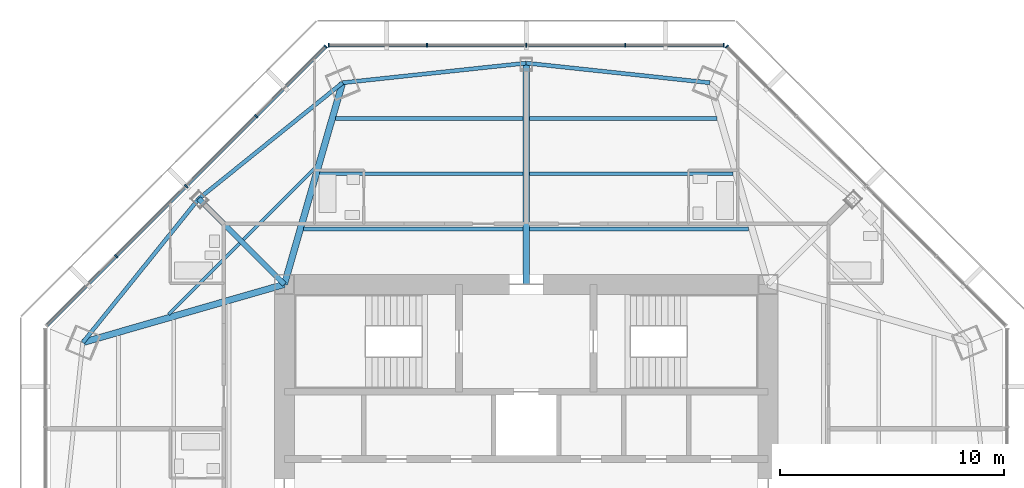
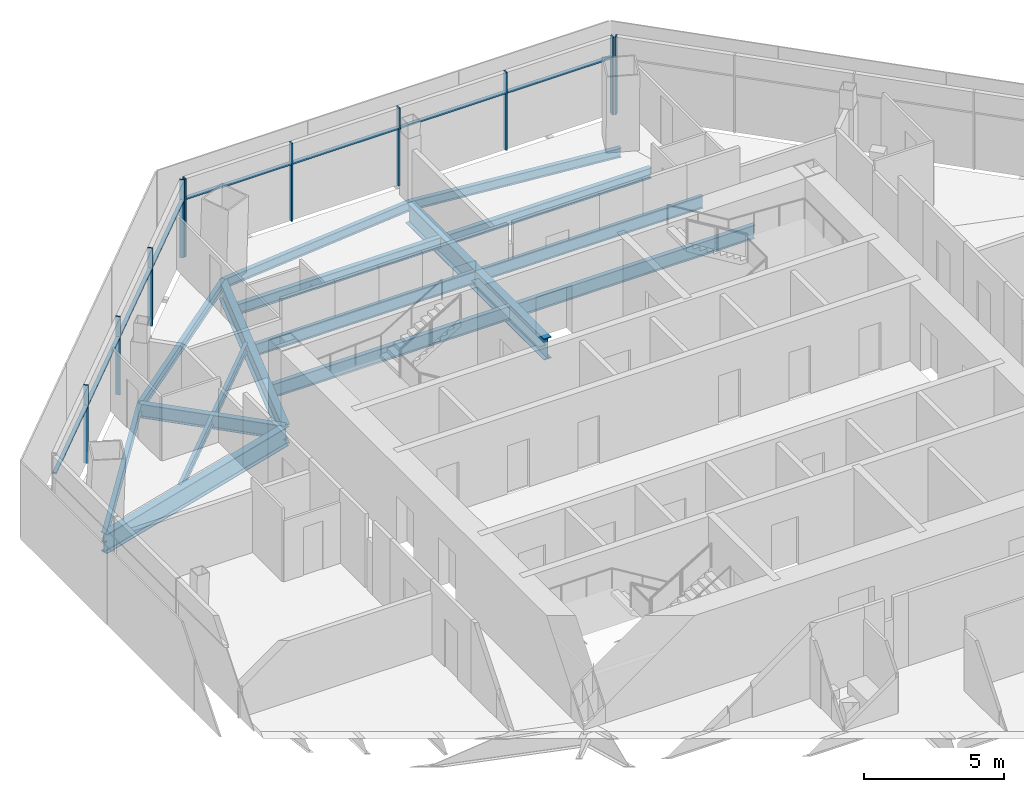
# One storey, part 5 of 15: 18 members, 16 beams, 3 elements without a shape of their own.
"""IFC4 building model written with IfcOpenShell, lengths in metres."""

from ifc_helpers import new_model, si_unit, direction, frame, origin, origin_2d, place, context, subcontext, project, spatial, rectangle, i_section, extrude, source, transform, mapped, material, material_profile, profile_set, type_object, type_shapes, element, aggregate, save


model = new_model("IFC4")

# Units and contexts
model_context = context("Model", 3, precision=1e-05, world=origin(), true_north=direction((0.0, 1.0)))
body_context = subcontext(model_context, "Body", "Model", "MODEL_VIEW")
ifc_project = project(units=[si_unit("LENGTHUNIT", "METRE"), si_unit("AREAUNIT", "SQUARE_METRE"), si_unit("VOLUMEUNIT", "CUBIC_METRE"), si_unit("PLANEANGLEUNIT", "RADIAN"), si_unit("MASSUNIT", "GRAM", prefix="KILO")], contexts=[model_context])

# Site, building, storey
site_placement = place(None, origin())
site = spatial("IfcSite", under=ifc_project, at=site_placement, CompositionType="ELEMENT")
building_placement = place(site_placement, origin())
building = spatial("IfcBuilding", under=site, at=building_placement, Name="Mashrafa Tower", CompositionType="ELEMENT")
storey_placement = place(building_placement, frame((0.0, 0.0, 231.199951171875)))
storey = spatial("IfcBuildingStorey", under=building, at=storey_placement, Name="L54", CompositionType="ELEMENT", Elevation=231.199951171875)

# Beams
ifc_material_1 = material(Name="Steel ASTM A992", Category="steel")
ifc_material_profile_1 = material_profile(ifc_material_1, i_section(OverallWidth=0.140380859375, OverallDepth=0.40380859375, WebThickness=0.007080078125, FlangeThickness=0.01123046875, FilletRadius=0.01025390625, at=origin_2d()), Name="W16X31")
ifc_profile_set_1 = profile_set([ifc_material_profile_1], Name="Steel ASTM A992")
beam_type_1 = type_object("IfcBeamType", Name="Beam W16X31", PredefinedType="BEAM", material=ifc_profile_set_1)
for number, where, z_axis, x_axis, name in (
    (1, (-15.960205078125, 9.462890625, -0.40185546875), (0.707106781187, 0.707106781187, 0.0), (-0.707106781187, 0.707106781187, 0.0), "Floor beam L54 003"),
    (2, (-12.630859375, 12.792236328125, -0.40185546875), (0.707106781187, 0.707106781187, 0.0), (-0.707106781187, 0.707106781187, 0.0), "Floor beam L54 009"),
):
    element("IfcBeam", number, at=place(storey_placement, frame(where, z_axis=z_axis, x_axis=x_axis)), inside=storey, type_object=beam_type_1, Name=name, PredefinedType="BEAM", context=body_context, shape_type="SweptSolid", body=[
        extrude(i_section(OverallWidth=0.140380859375, OverallDepth=0.40380859375, WebThickness=0.007080078125, FlangeThickness=0.01123046875, FilletRadius=0.01025390625, at=origin_2d()), origin(), (0.0, 0.0, 1.0), 4.480224609375),
    ])
ifc_material_2 = material(Name="Steel ASTM A992", Category="steel")
ifc_material_profile_2 = material_profile(ifc_material_2, i_section(OverallWidth=0.177734375, OverallDepth=0.406494140625, WebThickness=0.0078125, FlangeThickness=0.012939453125, FilletRadius=0.01025390625, at=origin_2d()), Name="W16X40")
ifc_profile_set_2 = profile_set([ifc_material_profile_2], Name="Steel ASTM A992")
beam_type_2 = type_object("IfcBeamType", Name="Beam W16X40", PredefinedType="BEAM", material=ifc_profile_set_2)
for number, where, z_axis, x_axis, name in (
    (3, (-14.623046875, 14.623046875, -0.403076171875), (-0.627794101405, -0.778379448753, 0.0), (0.778379448753, -0.627794101405, 0.0), "Spandrel beam L54 053"),
    (4, (-8.2021484375, 19.8017578125, -0.403076171875), (-0.778379448753, -0.627794101405, 0.0), (0.627794101405, -0.778379448753, 0.0), "Spandrel beam L54 055"),
    (5, (0.0, 20.68017578125, -0.403076171875), (-0.994314079337, -0.106487143037, 0.0), (0.106487143037, -0.994314079337, 0.0), "Spandrel beam L54 057"),
    (6, (8.2021484375, 19.8017578125, -0.403076171875), (-0.994314079337, 0.106487143037, 0.0), (-0.106487143037, -0.994314079337, 0.0), "Spandrel beam L54 059"),
):
    element("IfcBeam", number, at=place(storey_placement, frame(where, z_axis=z_axis, x_axis=x_axis)), inside=storey, type_object=beam_type_2, Name=name, PredefinedType="BEAM", context=body_context, shape_type="SweptSolid", body=[
        extrude(i_section(OverallWidth=0.177734375, OverallDepth=0.406494140625, WebThickness=0.0078125, FlangeThickness=0.012939453125, FilletRadius=0.01025390625, at=origin_2d()), origin(), (0.0, 0.0, 1.0), 8.2490234375),
    ])
ifc_material_3 = material(Name="Steel ASTM A992", Category="steel")
ifc_material_profile_3 = material_profile(ifc_material_3, i_section(OverallWidth=0.191162109375, OverallDepth=0.459716796875, WebThickness=0.010009765625, FlangeThickness=0.01611328125, FilletRadius=0.01025390625, at=origin_2d()), Name="W18X55")
ifc_profile_set_3 = profile_set([ifc_material_profile_3], Name="Steel ASTM A992")
beam_type_3 = type_object("IfcBeamType", Name="Beam W18X55", PredefinedType="BEAM", material=ifc_profile_set_3)
for number, where, z_axis, x_axis, name in (
    (7, (-8.509521484375, 18.210205078125, -0.429931640625), (1.0, 0.0, 0.0), (0.0, 1.0, 0.0), "Floor beam L54 013"),
    (8, (0.15380859375, 18.210205078125, -0.429931640625), (1.0, 0.0, 0.0), (0.0, 1.0, 0.0), "Floor beam L54 019"),
):
    element("IfcBeam", number, at=place(storey_placement, frame(where, z_axis=z_axis, x_axis=x_axis)), inside=storey, type_object=beam_type_3, Name=name, PredefinedType="BEAM", context=body_context, shape_type="SweptSolid", body=[
        extrude(i_section(OverallWidth=0.191162109375, OverallDepth=0.459716796875, WebThickness=0.010009765625, FlangeThickness=0.01611328125, FilletRadius=0.01025390625, at=origin_2d()), origin(), (0.0, 0.0, 1.0), 8.355712890625),
    ])
ifc_material_4 = material(Name="Steel ASTM A992", Category="steel")
ifc_material_profile_4 = material_profile(ifc_material_4, i_section(OverallWidth=0.1650390625, OverallDepth=0.52587890625, WebThickness=0.0087890625, FlangeThickness=0.011474609375, FilletRadius=0.0126953125, at=origin_2d()), Name="W21X44")
ifc_profile_set_4 = profile_set([ifc_material_profile_4], Name="Steel ASTM A992")
beam_type_4 = type_object("IfcBeamType", Name="Beam W21X44", PredefinedType="BEAM", material=ifc_profile_set_4)
for number, where, z_axis, x_axis, name in (
    (9, (-9.222412109375, 15.739990234375, -0.462890625), (1.0, 0.0, 0.0), (0.0, 1.0, 0.0), "Floor beam L54 011"),
    (10, (0.15380859375, 15.739990234375, -0.462890625), (1.0, 0.0, 0.0), (0.0, 1.0, 0.0), "Floor beam L54 018"),
):
    element("IfcBeam", number, at=place(storey_placement, frame(where, z_axis=z_axis, x_axis=x_axis)), inside=storey, type_object=beam_type_4, Name=name, PredefinedType="BEAM", context=body_context, shape_type="SweptSolid", body=[
        extrude(i_section(OverallWidth=0.1650390625, OverallDepth=0.52587890625, WebThickness=0.0087890625, FlangeThickness=0.011474609375, FilletRadius=0.0126953125, at=origin_2d()), origin(), (0.0, 0.0, 1.0), 9.068603515625),
    ])
ifc_material_5 = material(Name="Steel ASTM A992", Category="steel")
ifc_material_profile_5 = material_profile(ifc_material_5, i_section(OverallWidth=0.177978515625, OverallDepth=0.599365234375, WebThickness=0.010009765625, FlangeThickness=0.012939453125, FilletRadius=0.012939453125, at=origin_2d()), Name="W24X55")
ifc_profile_set_5 = profile_set([ifc_material_profile_5], Name="Steel ASTM A992")
beam_type_5 = type_object("IfcBeamType", Name="Beam W24X55", PredefinedType="BEAM", material=ifc_profile_set_5)
for number, where, z_axis, x_axis, name in (
    (11, (-9.935302734375, 13.27001953125, -0.499755859375), (1.0, 0.0, 0.0), (0.0, 1.0, 0.0), "Floor beam L54 010"),
    (12, (0.15380859375, 13.27001953125, -0.499755859375), (1.0, 0.0, 0.0), (0.0, 1.0, 0.0), "Floor beam L54 017"),
):
    element("IfcBeam", number, at=place(storey_placement, frame(where, z_axis=z_axis, x_axis=x_axis)), inside=storey, type_object=beam_type_5, Name=name, PredefinedType="BEAM", context=body_context, shape_type="SweptSolid", body=[
        extrude(i_section(OverallWidth=0.177978515625, OverallDepth=0.599365234375, WebThickness=0.010009765625, FlangeThickness=0.012939453125, FilletRadius=0.012939453125, at=origin_2d()), origin(), (0.0, 0.0, 1.0), 9.781494140625),
    ])
ifc_material_6 = material(Name="Steel ASTM A992", Category="steel")
ifc_material_profile_6 = material_profile(ifc_material_6, i_section(OverallWidth=0.228271484375, OverallDepth=0.607177734375, WebThickness=0.01123046875, FlangeThickness=0.017333984375, FilletRadius=0.0126953125, at=origin_2d()), Name="W24X76")
ifc_profile_set_6 = profile_set([ifc_material_profile_6], Name="Steel ASTM A992")
beam_type_6 = type_object("IfcBeamType", Name="Beam W24X76", PredefinedType="BEAM", material=ifc_profile_set_6)
beam_1_placement = place(storey_placement, frame((-10.800048828125, 10.800048828125, -0.50341796875), z_axis=(-0.707106781187, 0.707106781187, 0.0), x_axis=(-0.707106781187, -0.707106781187, 0.0)))
element("IfcBeam", 13, at=beam_1_placement, inside=storey, type_object=beam_type_6, Name="Radial girder L54 038", PredefinedType="BEAM", context=body_context, shape_type="SweptSolid", body=[
    extrude(i_section(OverallWidth=0.228271484375, OverallDepth=0.607177734375, WebThickness=0.01123046875, FlangeThickness=0.017333984375, FilletRadius=0.0126953125, at=origin_2d()), origin(), (0.0, 0.0, 1.0), 5.406494140625),
])
ifc_material_7 = material(Name="Steel ASTM A992", Category="steel")
ifc_material_profile_7 = material_profile(ifc_material_7, i_section(OverallWidth=0.2919921875, OverallDepth=0.845703125, WebThickness=0.015380859375, FlangeThickness=0.0244140625, FilletRadius=0.017333984375, at=origin_2d()), Name="W33X141")
ifc_profile_set_7 = profile_set([ifc_material_profile_7], Name="Steel ASTM A992")
beam_type_7 = type_object("IfcBeamType", Name="Beam W33X141", PredefinedType="BEAM", material=ifc_profile_set_7)
for number, where, z_axis, x_axis, name in (
    (14, (-10.800048828125, 10.800048828125, -0.622802734375), (-0.960787952424, -0.277284169178, 0.0), (0.277284169178, -0.960787952424, 0.0), "Radial girder L54 037"),
    (15, (-10.800048828125, 10.800048828125, -0.622802734375), (0.277284169178, 0.960787952424, 0.0), (-0.960787952424, 0.277284169178, 0.0), "Radial girder L54 039"),
):
    element("IfcBeam", number, at=place(storey_placement, frame(where, z_axis=z_axis, x_axis=x_axis)), inside=storey, type_object=beam_type_7, Name=name, PredefinedType="BEAM", context=body_context, shape_type="SweptSolid", body=[
        extrude(i_section(OverallWidth=0.2919921875, OverallDepth=0.845703125, WebThickness=0.015380859375, FlangeThickness=0.0244140625, FilletRadius=0.017333984375, at=origin_2d()), origin(), (0.0, 0.0, 1.0), 9.369140625),
    ])
ifc_material_8 = material(Name="Steel ASTM A992", Category="steel")
ifc_material_profile_8 = material_profile(ifc_material_8, i_section(OverallWidth=0.307373046875, OverallDepth=0.927001953125, WebThickness=0.01953125, FlangeThickness=0.031982421875, FilletRadius=0.01904296875, at=origin_2d()), Name="W36X194")
ifc_profile_set_8 = profile_set([ifc_material_profile_8], Name="Steel ASTM A992")
beam_type_8 = type_object("IfcBeamType", Name="Beam W36X194", PredefinedType="BEAM", material=ifc_profile_set_8)
beam_2_placement = place(storey_placement, frame((0.0, 10.800048828125, -0.66357421875), z_axis=(0.0, 1.0, 0.0), x_axis=(-1.0, 0.0, 0.0)))
element("IfcBeam", 16, at=beam_2_placement, inside=storey, type_object=beam_type_8, Name="Radial girder L54 041", PredefinedType="BEAM", context=body_context, shape_type="SweptSolid", body=[
    extrude(i_section(OverallWidth=0.307373046875, OverallDepth=0.927001953125, WebThickness=0.01953125, FlangeThickness=0.031982421875, FilletRadius=0.01904296875, at=origin_2d()), origin(), (0.0, 0.0, 1.0), 9.880126953125),
])

# Curtain wall, member
ifc_material_9 = material(Name="Unitised aluminium curtain wall", Category="aluminium")
curtain_wall_type = type_object("IfcCurtainWallType", Name="Apartment curtain wall, zone 3 CW-C 180 deep", PredefinedType="NOTDEFINED", material=ifc_material_9)
curtain_wall_1_placement = place(storey_placement, origin())
curtain_wall_1 = element("IfcCurtainWall", 17, at=curtain_wall_1_placement, inside=storey, type_object=curtain_wall_type, Name="Apartment curtain wall, zone 3 L54 north-east", PredefinedType="NOTDEFINED")
ifc_material_10 = material(Name="Extruded aluminium mullion", Category="aluminium")
ifc_material_profile_9 = material_profile(ifc_material_10, rectangle(XDim=0.179931640625, YDim=0.06005859375, at=origin_2d()), Name="Mullion 60x180")
ifc_profile_set_9 = profile_set([ifc_material_profile_9], Name="Extruded aluminium mullion")
member_type_1 = type_object("IfcMemberType", Name="Mullion CW-C 60 x 180", PredefinedType="MULLION", material=ifc_profile_set_9)
shared_shape_1 = source(origin(), body_context, "Body", "SweptSolid", [
    extrude(rectangle(XDim=0.179931640625, YDim=0.06005859375, at=origin_2d()), origin(), (0.0, 0.0, 1.0), 3.400146484375),
])
type_shapes(member_type_1, [shared_shape_1])
member_1_placement = place(storey_placement, frame((8.94970703125, 21.419677734375, 0.0), z_axis=(0.0, 0.0, 1.0), x_axis=(-0.707106781187, -0.707106781187, 0.0)))
member_1 = element("IfcMember", 18, at=member_1_placement, type_object=member_type_1, Name="CW-C mullion 5", PredefinedType="MULLION", context=body_context, shape_type="MappedRepresentation", body=[
    mapped(shared_shape_1, transform((0.0, 0.0, 0.0))),
])
aggregate(curtain_wall_1, [member_1])

# Curtain wall, members
curtain_wall_2_placement = place(storey_placement, origin())
curtain_wall_2 = element("IfcCurtainWall", 19, at=curtain_wall_2_placement, inside=storey, type_object=curtain_wall_type, Name="Apartment curtain wall, zone 3 L54 north", PredefinedType="NOTDEFINED")
member_2_placement = place(storey_placement, frame((8.817626953125, 21.474365234375, 0.0), z_axis=(0.0, 0.0, 1.0), x_axis=(0.0, -1.0, 0.0)))
member_2 = element("IfcMember", 20, at=member_2_placement, type_object=member_type_1, Name="CW-C mullion 1", PredefinedType="MULLION", context=body_context, shape_type="MappedRepresentation", body=[
    mapped(shared_shape_1, transform((0.0, 0.0, 0.0))),
])
member_3_placement = place(storey_placement, frame((4.423828125, 21.474365234375, 0.0), z_axis=(0.0, 0.0, 1.0), x_axis=(0.0, -1.0, 0.0)))
member_3 = element("IfcMember", 21, at=member_3_placement, type_object=member_type_1, Name="CW-C mullion 2", PredefinedType="MULLION", context=body_context, shape_type="MappedRepresentation", body=[
    mapped(shared_shape_1, transform((0.0, 0.0, 0.0))),
])
member_4_placement = place(storey_placement, frame((0.0, 21.474365234375, 0.0), z_axis=(0.0, 0.0, 1.0), x_axis=(0.0, -1.0, 0.0)))
member_4 = element("IfcMember", 22, at=member_4_placement, type_object=member_type_1, Name="CW-C mullion 3", PredefinedType="MULLION", context=body_context, shape_type="MappedRepresentation", body=[
    mapped(shared_shape_1, transform((0.0, 0.0, 0.0))),
])
member_5_placement = place(storey_placement, frame((-4.423828125, 21.474365234375, 0.0), z_axis=(0.0, 0.0, 1.0), x_axis=(0.0, -1.0, 0.0)))
member_5 = element("IfcMember", 23, at=member_5_placement, type_object=member_type_1, Name="CW-C mullion 4", PredefinedType="MULLION", context=body_context, shape_type="MappedRepresentation", body=[
    mapped(shared_shape_1, transform((0.0, 0.0, 0.0))),
])
member_6_placement = place(storey_placement, frame((-8.817626953125, 21.474365234375, 0.0), z_axis=(0.0, 0.0, 1.0), x_axis=(0.0, -1.0, 0.0)))
member_6 = element("IfcMember", 24, at=member_6_placement, type_object=member_type_1, Name="CW-C mullion 5", PredefinedType="MULLION", context=body_context, shape_type="MappedRepresentation", body=[
    mapped(shared_shape_1, transform((0.0, 0.0, 0.0))),
])

curtain_wall_3_placement = place(storey_placement, origin())
curtain_wall_3 = element("IfcCurtainWall", 25, at=curtain_wall_3_placement, inside=storey, type_object=curtain_wall_type, Name="Apartment curtain wall, zone 3 L54 north-west", PredefinedType="NOTDEFINED")
member_7_placement = place(storey_placement, frame((-8.94970703125, 21.419677734375, 0.0), z_axis=(0.0, 0.0, 1.0), x_axis=(0.707106781187, -0.707106781187, 0.0)))
member_7 = element("IfcMember", 26, at=member_7_placement, type_object=member_type_1, Name="CW-C mullion 1", PredefinedType="MULLION", context=body_context, shape_type="MappedRepresentation", body=[
    mapped(shared_shape_1, transform((0.0, 0.0, 0.0))),
])
member_8_placement = place(storey_placement, frame((-12.056640625, 18.312744140625, 0.0), z_axis=(0.0, 0.0, 1.0), x_axis=(0.707106781187, -0.707106781187, 0.0)))
member_8 = element("IfcMember", 27, at=member_8_placement, type_object=member_type_1, Name="CW-C mullion 2", PredefinedType="MULLION", context=body_context, shape_type="MappedRepresentation", body=[
    mapped(shared_shape_1, transform((0.0, 0.0, 0.0))),
])
member_9_placement = place(storey_placement, frame((-15.184814453125, 15.184814453125, 0.0), z_axis=(0.0, 0.0, 1.0), x_axis=(0.707106781187, -0.707106781187, 0.0)))
member_9 = element("IfcMember", 28, at=member_9_placement, type_object=member_type_1, Name="CW-C mullion 3", PredefinedType="MULLION", context=body_context, shape_type="MappedRepresentation", body=[
    mapped(shared_shape_1, transform((0.0, 0.0, 0.0))),
])
member_10_placement = place(storey_placement, frame((-18.312744140625, 12.056640625, 0.0), z_axis=(0.0, 0.0, 1.0), x_axis=(0.707106781187, -0.707106781187, 0.0)))
member_10 = element("IfcMember", 29, at=member_10_placement, type_object=member_type_1, Name="CW-C mullion 4", PredefinedType="MULLION", context=body_context, shape_type="MappedRepresentation", body=[
    mapped(shared_shape_1, transform((0.0, 0.0, 0.0))),
])

# Member
ifc_material_11 = material(Name="Extruded aluminium transom", Category="aluminium")
ifc_material_profile_10 = material_profile(ifc_material_11, rectangle(XDim=0.14404296875, YDim=0.074951171875, at=origin_2d()), Name="Transom 75x144")
ifc_profile_set_10 = profile_set([ifc_material_profile_10], Name="Extruded aluminium transom")
member_type_2 = type_object("IfcMemberType", Name="Transom CW-C 75 x 144", PredefinedType="MULLION", material=ifc_profile_set_10)
shared_shape_2 = source(origin(), body_context, "Body", "SweptSolid", [
    extrude(rectangle(XDim=0.14404296875, YDim=0.074951171875, at=origin_2d()), origin(), (0.0, 0.0, 1.0), 4.333740234375),
])
member_11_placement = place(storey_placement, frame((8.78759765625, 21.474365234375, 2.5), z_axis=(-1.0, 0.0, 0.0), x_axis=(0.0, -1.0, 0.0)))
member_11 = element("IfcMember", 30, at=member_11_placement, type_object=member_type_2, Name="CW-C transom 1", PredefinedType="MULLION", context=body_context, shape_type="MappedRepresentation", body=[
    mapped(shared_shape_2, transform((0.0, 0.0, 0.0))),
])

member_12_placement = place(storey_placement, frame((-4.453857421875, 21.474365234375, 2.5), z_axis=(-1.0, 0.0, 0.0), x_axis=(0.0, -1.0, 0.0)))
member_12 = element("IfcMember", 31, at=member_12_placement, type_object=member_type_2, Name="CW-C transom 4", PredefinedType="MULLION", context=body_context, shape_type="MappedRepresentation", body=[
    mapped(shared_shape_2, transform((0.0, 0.0, 0.0))),
])

member_13_placement = place(storey_placement, frame((-8.970947265625, 21.3984375, 2.5), z_axis=(-0.707106781187, -0.707106781187, 0.0), x_axis=(0.707106781187, -0.707106781187, 0.0)))
member_13 = element("IfcMember", 32, at=member_13_placement, type_object=member_type_2, Name="CW-C transom 1", PredefinedType="MULLION", context=body_context, shape_type="MappedRepresentation", body=[
    mapped(shared_shape_2, transform((0.0, 0.0, 0.0))),
])

member_14_placement = place(storey_placement, frame((-18.333984375, 12.035400390625, 2.5), z_axis=(-0.707106781187, -0.707106781187, 0.0), x_axis=(0.707106781187, -0.707106781187, 0.0)))
member_14 = element("IfcMember", 33, at=member_14_placement, type_object=member_type_2, Name="CW-C transom 4", PredefinedType="MULLION", context=body_context, shape_type="MappedRepresentation", body=[
    mapped(shared_shape_2, transform((0.0, 0.0, 0.0))),
])

shared_shape_3 = source(origin(), body_context, "Body", "SweptSolid", [
    extrude(rectangle(XDim=0.14404296875, YDim=0.074951171875, at=origin_2d()), origin(), (0.0, 0.0, 1.0), 4.36376953125),
])
type_shapes(member_type_2, [shared_shape_2, shared_shape_3])
member_15_placement = place(storey_placement, frame((4.393798828125, 21.474365234375, 2.5), z_axis=(-1.0, 0.0, 0.0), x_axis=(0.0, -1.0, 0.0)))
member_15 = element("IfcMember", 34, at=member_15_placement, type_object=member_type_2, Name="CW-C transom 2", PredefinedType="MULLION", context=body_context, shape_type="MappedRepresentation", body=[
    mapped(shared_shape_3, transform((0.0, 0.0, 0.0))),
])

member_16_placement = place(storey_placement, frame((-0.030029296875, 21.474365234375, 2.5), z_axis=(-1.0, 0.0, 0.0), x_axis=(0.0, -1.0, 0.0)))
member_16 = element("IfcMember", 35, at=member_16_placement, type_object=member_type_2, Name="CW-C transom 3", PredefinedType="MULLION", context=body_context, shape_type="MappedRepresentation", body=[
    mapped(shared_shape_3, transform((0.0, 0.0, 0.0))),
])

aggregate(curtain_wall_2, [member_2, member_3, member_4, member_5, member_6, member_11, member_15, member_16, member_12])

member_17_placement = place(storey_placement, frame((-12.077880859375, 18.29150390625, 2.5), z_axis=(-0.707106781187, -0.707106781187, 0.0), x_axis=(0.707106781187, -0.707106781187, 0.0)))
member_17 = element("IfcMember", 36, at=member_17_placement, type_object=member_type_2, Name="CW-C transom 2", PredefinedType="MULLION", context=body_context, shape_type="MappedRepresentation", body=[
    mapped(shared_shape_3, transform((0.0, 0.0, 0.0))),
])

member_18_placement = place(storey_placement, frame((-15.205810546875, 15.16357421875, 2.5), z_axis=(-0.707106781187, -0.707106781187, 0.0), x_axis=(0.707106781187, -0.707106781187, 0.0)))
member_18 = element("IfcMember", 37, at=member_18_placement, type_object=member_type_2, Name="CW-C transom 3", PredefinedType="MULLION", context=body_context, shape_type="MappedRepresentation", body=[
    mapped(shared_shape_3, transform((0.0, 0.0, 0.0))),
])

aggregate(curtain_wall_3, [member_7, member_8, member_9, member_10, member_13, member_17, member_18, member_14])

save(model, "model.ifc")
